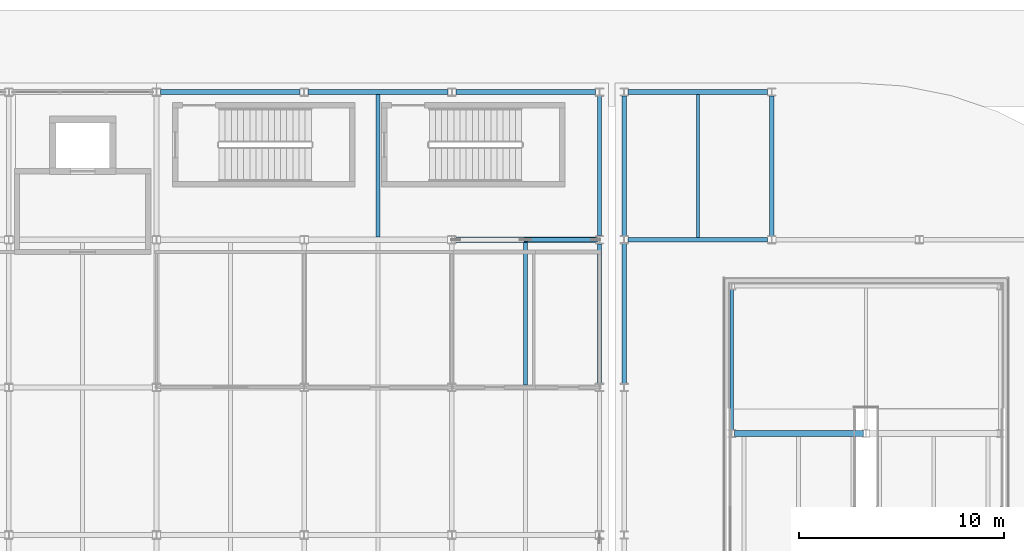
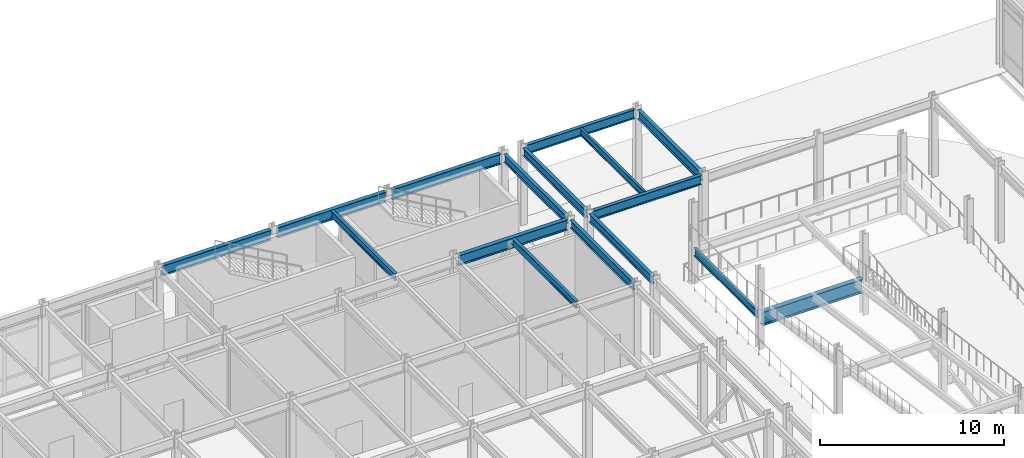
# One storey, part 40 of 104: 16 beams, 1 member.
"""IFC4 building model written with IfcOpenShell, lengths in metres."""

from ifc_helpers import new_model, si_unit, direction, frame, origin, origin_2d, place, context, subcontext, project, spatial, hollow_rectangle, i_section, extrude, material, material_profile, profile_set, type_object, element, save


model = new_model("IFC4")

# Units and contexts
model_context = context("Model", 3, precision=1e-05, world=origin(), true_north=direction((0.0, 1.0)))
body_context = subcontext(model_context, "Body", "Model", "MODEL_VIEW")
ifc_project = project(units=[si_unit("LENGTHUNIT", "METRE"), si_unit("AREAUNIT", "SQUARE_METRE"), si_unit("VOLUMEUNIT", "CUBIC_METRE"), si_unit("PLANEANGLEUNIT", "RADIAN"), si_unit("MASSUNIT", "GRAM", prefix="KILO")], contexts=[model_context])

# Site, building, storey
site_placement = place(None, origin())
site = spatial("IfcSite", under=ifc_project, at=site_placement, CompositionType="ELEMENT")
building_placement = place(site_placement, origin())
building = spatial("IfcBuilding", under=site, at=building_placement, Name="Vaelcorin Mobility Hub", CompositionType="ELEMENT")
storey_placement = place(building_placement, origin())
storey = spatial("IfcBuildingStorey", under=building, at=storey_placement, Name="L00", CompositionType="ELEMENT", Elevation=0.0)

# Beams
ifc_material_1 = material(Name="Steel ASTM A992 Grade 50", Category="steel")
ifc_material_profile_1 = material_profile(ifc_material_1, i_section(OverallWidth=0.152099609375, OverallDepth=0.455078125, WebThickness=0.008056640625, FlangeThickness=0.01318359375, FilletRadius=0.012939453125, at=origin_2d()), Name="W18X40")
ifc_profile_set_1 = profile_set([ifc_material_profile_1], Name="Steel ASTM A992 Grade 50")
beam_type_1 = type_object("IfcBeamType", Name="BM-W18X40", PredefinedType="JOIST", material=ifc_profile_set_1)
beam_1_placement = place(storey_placement, frame((127.199951171875, 112.912109375, 4.922119140625), z_axis=(0.0, 1.0, 0.0), x_axis=(-1.0, 0.0, 0.0)))
element("IfcBeam", 1, at=beam_1_placement, inside=storey, type_object=beam_type_1, Name="L00 Beam V2E-L00-J-01-06-1", PredefinedType="JOIST", context=body_context, shape_type="SweptSolid", body=[
    extrude(i_section(OverallWidth=0.152099609375, OverallDepth=0.455078125, WebThickness=0.008056640625, FlangeThickness=0.01318359375, FilletRadius=0.012939453125, at=origin_2d()), origin(), (0.0, 0.0, 1.0), 6.975830078125),
])
ifc_material_profile_2 = material_profile(ifc_material_1, i_section(OverallWidth=0.19091796875, OverallDepth=0.4599609375, WebThickness=0.010009765625, FlangeThickness=0.01611328125, FilletRadius=0.012939453125, at=origin_2d()), Name="W18X55")
ifc_profile_set_2 = profile_set([ifc_material_profile_2], Name="Steel ASTM A992 Grade 50")
beam_type_2 = type_object("IfcBeamType", Name="BM-W18X55", PredefinedType="JOIST", material=ifc_profile_set_2)
for number, where, z_axis, x_axis, name in (
    (2, (111.60009765625, 112.925048828125, 4.929931640625), (0.0, 1.0, 0.0), (-1.0, 0.0, 0.0), "L00 Beam V4-L00-J-11-06-1"),
    (3, (118.800048828125, 105.72509765625, 4.929931640625), (0.0, 1.0, 0.0), (-1.0, 0.0, 0.0), "L00 Beam V4-L00-J-12-05-1"),
):
    element("IfcBeam", number, at=place(storey_placement, frame(where, z_axis=z_axis, x_axis=x_axis)), inside=storey, type_object=beam_type_2, Name=name, PredefinedType="JOIST", context=body_context, shape_type="SweptSolid", body=[
        extrude(i_section(OverallWidth=0.19091796875, OverallDepth=0.4599609375, WebThickness=0.010009765625, FlangeThickness=0.01611328125, FilletRadius=0.012939453125, at=origin_2d()), origin(), (0.0, 0.0, 1.0), 6.949951171875),
    ])
ifc_material_profile_3 = material_profile(ifc_material_1, i_section(OverallWidth=0.166015625, OverallDepth=0.528076171875, WebThickness=0.009765625, FlangeThickness=0.013671875, FilletRadius=0.013916015625, at=origin_2d()), Name="W21X50")
ifc_profile_set_3 = profile_set([ifc_material_profile_3], Name="Steel ASTM A992 Grade 50")
beam_type_3 = type_object("IfcBeamType", Name="BM-W21X50", PredefinedType="JOIST", material=ifc_profile_set_3)
beam_2_placement = place(storey_placement, frame((128.85009765625, 103.52490234375, 2.14501953125), z_axis=(0.0, 1.0, 0.0), x_axis=(-1.0, 0.0, 0.0)))
element("IfcBeam", 4, at=beam_2_placement, inside=storey, type_object=beam_type_3, Name="Vehicle Ramp VR-2 L00 Landing West Edge Beam", PredefinedType="JOIST", context=body_context, shape_type="SweptSolid", body=[
    extrude(i_section(OverallWidth=0.166015625, OverallDepth=0.528076171875, WebThickness=0.009765625, FlangeThickness=0.013671875, FilletRadius=0.013916015625, at=origin_2d()), origin(), (0.0, 0.0, 1.0), 6.85009765625),
])
ifc_material_profile_4 = material_profile(ifc_material_1, i_section(OverallWidth=0.2099609375, OverallDepth=0.535888671875, WebThickness=0.010986328125, FlangeThickness=0.017333984375, FilletRadius=0.013916015625, at=origin_2d()), Name="W21X68")
ifc_profile_set_4 = profile_set([ifc_material_profile_4], Name="Steel ASTM A992 Grade 50")
beam_type_4 = type_object("IfcBeamType", Name="BM-W21X68", PredefinedType="SPANDREL", material=ifc_profile_set_4)
beam_3_placement = place(storey_placement, frame((122.39990234375, 105.794921875, 4.89208984375), z_axis=(0.0, 1.0, 0.0), x_axis=(-1.0, 0.0, 0.0)))
element("IfcBeam", 5, at=beam_3_placement, inside=storey, type_object=beam_type_4, Name="L00 Beam V4-L00-GY-13-05", PredefinedType="SPANDREL", context=body_context, shape_type="SweptSolid", body=[
    extrude(i_section(OverallWidth=0.2099609375, OverallDepth=0.535888671875, WebThickness=0.010986328125, FlangeThickness=0.017333984375, FilletRadius=0.013916015625, at=origin_2d()), origin(), (0.0, 0.0, 1.0), 6.80419921875),
])
beam_4_placement = place(storey_placement, frame((122.39990234375, 113.0009765625, 4.89208984375), z_axis=(0.0, 1.0, 0.0), x_axis=(-1.0, 0.0, 0.0)))
element("IfcBeam", 6, at=beam_4_placement, inside=storey, type_object=beam_type_4, Name="L00 Beam V4-L00-GY-13-06", PredefinedType="SPANDREL", context=body_context, shape_type="SweptSolid", body=[
    extrude(i_section(OverallWidth=0.2099609375, OverallDepth=0.535888671875, WebThickness=0.010986328125, FlangeThickness=0.017333984375, FilletRadius=0.013916015625, at=origin_2d()), origin(), (0.0, 0.0, 1.0), 6.803955078125),
])
beam_5_placement = place(storey_placement, frame((123.60009765625, 105.7880859375, 4.882080078125), z_axis=(0.0, 1.0, 0.0), x_axis=(-1.0, 0.0, 0.0)))
element("IfcBeam", 7, at=beam_5_placement, inside=storey, type_object=beam_type_4, Name="L00 Beam V2E-L00-GY-01-05", PredefinedType="SPANDREL", context=body_context, shape_type="SweptSolid", body=[
    extrude(i_section(OverallWidth=0.2099609375, OverallDepth=0.535888671875, WebThickness=0.010986328125, FlangeThickness=0.017333984375, FilletRadius=0.013916015625, at=origin_2d()), origin(), (0.0, 0.0, 1.0), 6.822998046875),
])
beam_6_placement = place(storey_placement, frame((123.60009765625, 112.988037109375, 4.882080078125), z_axis=(0.0, 1.0, 0.0), x_axis=(-1.0, 0.0, 0.0)))
element("IfcBeam", 8, at=beam_6_placement, inside=storey, type_object=beam_type_4, Name="L00 Beam V2E-L00-GY-01-06", PredefinedType="SPANDREL", context=body_context, shape_type="SweptSolid", body=[
    extrude(i_section(OverallWidth=0.2099609375, OverallDepth=0.535888671875, WebThickness=0.010986328125, FlangeThickness=0.017333984375, FilletRadius=0.013916015625, at=origin_2d()), origin(), (0.0, 0.0, 1.0), 6.823974609375),
])
ifc_material_profile_5 = material_profile(ifc_material_1, i_section(OverallWidth=0.22802734375, OverallDepth=0.60205078125, WebThickness=0.010498046875, FlangeThickness=0.014892578125, FilletRadius=0.014892578125, at=origin_2d()), Name="W24X68")
ifc_profile_set_5 = profile_set([ifc_material_profile_5], Name="Steel ASTM A992 Grade 50")
beam_type_5 = type_object("IfcBeamType", Name="BM-W24X68", PredefinedType="SPANDREL", material=ifc_profile_set_5)
beam_7_placement = place(storey_placement, frame((123.7958984375, 120.0, 4.84912109375), z_axis=(1.0, 0.0, 0.0), x_axis=(0.0, 1.0, 0.0)))
element("IfcBeam", 9, at=beam_7_placement, inside=storey, type_object=beam_type_5, Name="L00 Beam V2E-L00-GX-07-01", PredefinedType="SPANDREL", context=body_context, shape_type="SweptSolid", body=[
    extrude(i_section(OverallWidth=0.22802734375, OverallDepth=0.60205078125, WebThickness=0.010498046875, FlangeThickness=0.014892578125, FilletRadius=0.014892578125, at=origin_2d()), origin(), (0.0, 0.0, 1.0), 6.80810546875),
])
ifc_material_profile_6 = material_profile(ifc_material_1, i_section(OverallWidth=0.22900390625, OverallDepth=0.612060546875, WebThickness=0.011962890625, FlangeThickness=0.01953125, FilletRadius=0.014892578125, at=origin_2d()), Name="W24X84")
ifc_profile_set_6 = profile_set([ifc_material_profile_6], Name="Steel ASTM A992 Grade 50")
beam_type_6 = type_object("IfcBeamType", Name="BM-W24X84", PredefinedType="BEAM", material=ifc_profile_set_6)
beam_8_placement = place(storey_placement, frame((123.7958984375, 112.800048828125, 4.843994140625), z_axis=(1.0, 0.0, 0.0), x_axis=(0.0, 1.0, 0.0)))
element("IfcBeam", 10, at=beam_8_placement, inside=storey, type_object=beam_type_6, Name="L00 Beam V2E-L00-GX-06-01", PredefinedType="BEAM", context=body_context, shape_type="SweptSolid", body=[
    extrude(i_section(OverallWidth=0.22900390625, OverallDepth=0.612060546875, WebThickness=0.011962890625, FlangeThickness=0.01953125, FilletRadius=0.014892578125, at=origin_2d()), origin(), (0.0, 0.0, 1.0), 6.80810546875),
])
beam_9_placement = place(storey_placement, frame((130.800048828125, 112.988037109375, 4.843994140625), z_axis=(0.0, 1.0, 0.0), x_axis=(-1.0, 0.0, 0.0)))
element("IfcBeam", 11, at=beam_9_placement, inside=storey, type_object=beam_type_6, Name="L00 Beam V2E-L00-GY-02-06", PredefinedType="BEAM", context=body_context, shape_type="SweptSolid", body=[
    extrude(i_section(OverallWidth=0.22900390625, OverallDepth=0.612060546875, WebThickness=0.011962890625, FlangeThickness=0.01953125, FilletRadius=0.014892578125, at=origin_2d()), origin(), (0.0, 0.0, 1.0), 6.823974609375),
])
ifc_material_profile_7 = material_profile(ifc_material_1, i_section(OverallWidth=0.25390625, OverallDepth=0.68310546875, WebThickness=0.012451171875, FlangeThickness=0.018798828125, FilletRadius=0.01611328125, at=origin_2d()), Name="W27X94")
ifc_profile_set_7 = profile_set([ifc_material_profile_7], Name="Steel ASTM A992 Grade 50")
beam_type_7 = type_object("IfcBeamType", Name="BM-W27X94", PredefinedType="BEAM", material=ifc_profile_set_7)
beam_10_placement = place(storey_placement, frame((115.39990234375, 112.800048828125, 4.818115234375), z_axis=(1.0, 0.0, 0.0), x_axis=(0.0, 1.0, 0.0)))
element("IfcBeam", 12, at=beam_10_placement, inside=storey, type_object=beam_type_7, Name="L00 Beam V4-L00-GX-06-12", PredefinedType="BEAM", context=body_context, shape_type="SweptSolid", body=[
    extrude(i_section(OverallWidth=0.25390625, OverallDepth=0.68310546875, WebThickness=0.012451171875, FlangeThickness=0.018798828125, FilletRadius=0.01611328125, at=origin_2d()), origin(), (0.0, 0.0, 1.0), 6.800048828125),
])
for number, where, z_axis, x_axis, name in (
    (13, (100.998046875, 120.0, 4.818115234375), (1.0, 0.0, 0.0), (0.0, 1.0, 0.0), "L00 Beam V4-L00-GX-07-10"),
    (14, (108.197998046875, 120.0, 4.818115234375), (1.0, 0.0, 0.0), (0.0, 1.0, 0.0), "L00 Beam V4-L00-GX-07-11"),
    (15, (115.39794921875, 120.0, 4.818115234375), (1.0, 0.0, 0.0), (0.0, 1.0, 0.0), "L00 Beam V4-L00-GX-07-12"),
):
    element("IfcBeam", number, at=place(storey_placement, frame(where, z_axis=z_axis, x_axis=x_axis)), inside=storey, type_object=beam_type_7, Name=name, PredefinedType="BEAM", context=body_context, shape_type="SweptSolid", body=[
        extrude(i_section(OverallWidth=0.25390625, OverallDepth=0.68310546875, WebThickness=0.012451171875, FlangeThickness=0.018798828125, FilletRadius=0.01611328125, at=origin_2d()), origin(), (0.0, 0.0, 1.0), 6.803955078125),
    ])
ifc_material_profile_8 = material_profile(ifc_material_1, i_section(OverallWidth=0.304931640625, OverallDepth=0.9140625, WebThickness=0.0166015625, FlangeThickness=0.02587890625, FilletRadius=0.02001953125, at=origin_2d()), Name="W36X160")
ifc_profile_set_8 = profile_set([ifc_material_profile_8], Name="Steel ASTM A992 Grade 50")
beam_type_8 = type_object("IfcBeamType", Name="BM-W36X160", PredefinedType="BEAM", material=ifc_profile_set_8)
beam_11_placement = place(storey_placement, frame((128.97998046875, 103.35009765625, 1.951904296875), z_axis=(1.0, 0.0, 0.0), x_axis=(0.0, 1.0, 0.0)))
element("IfcBeam", 16, at=beam_11_placement, inside=storey, type_object=beam_type_8, Name="Vehicle Ramp VR-2 L00 Landing Girder NW", PredefinedType="BEAM", context=body_context, shape_type="SweptSolid", body=[
    extrude(i_section(OverallWidth=0.304931640625, OverallDepth=0.9140625, WebThickness=0.0166015625, FlangeThickness=0.02587890625, FilletRadius=0.02001953125, at=origin_2d()), origin(), (0.0, 0.0, 1.0), 6.2900390625),
])

# Member
ifc_material_2 = material(Name="Steel ASTM A500 Grade C", Category="steel")
ifc_material_profile_9 = material_profile(ifc_material_2, hollow_rectangle(XDim=0.203125, YDim=0.203125, WallThickness=0.01171875, at=origin_2d()), Name="HSS8X8X0.500")
ifc_profile_set_9 = profile_set([ifc_material_profile_9], Name="Steel ASTM A500 Grade C")
member_type = type_object("IfcMemberType", Name="BR-SCBF-8X8", PredefinedType="BRACE", material=ifc_profile_set_9)
member_placement = place(storey_placement, frame((122.2099609375, 112.800048828125, 0.179931640625), z_axis=(-0.598018326756, 0.0, 0.801482427046), x_axis=(0.0, -1.0, 0.0)))
element("IfcMember", 17, at=member_placement, inside=storey, type_object=member_type, Name="SCBF Chevron Brace V4-BX2-L00-B", PredefinedType="BRACE", context=body_context, shape_type="SweptSolid", body=[
    extrude(hollow_rectangle(XDim=0.203125, YDim=0.203125, WallThickness=0.01171875, at=origin_2d()), origin(), (0.0, 0.0, 1.0), 5.701904296875),
])

save(model, "model.ifc")
